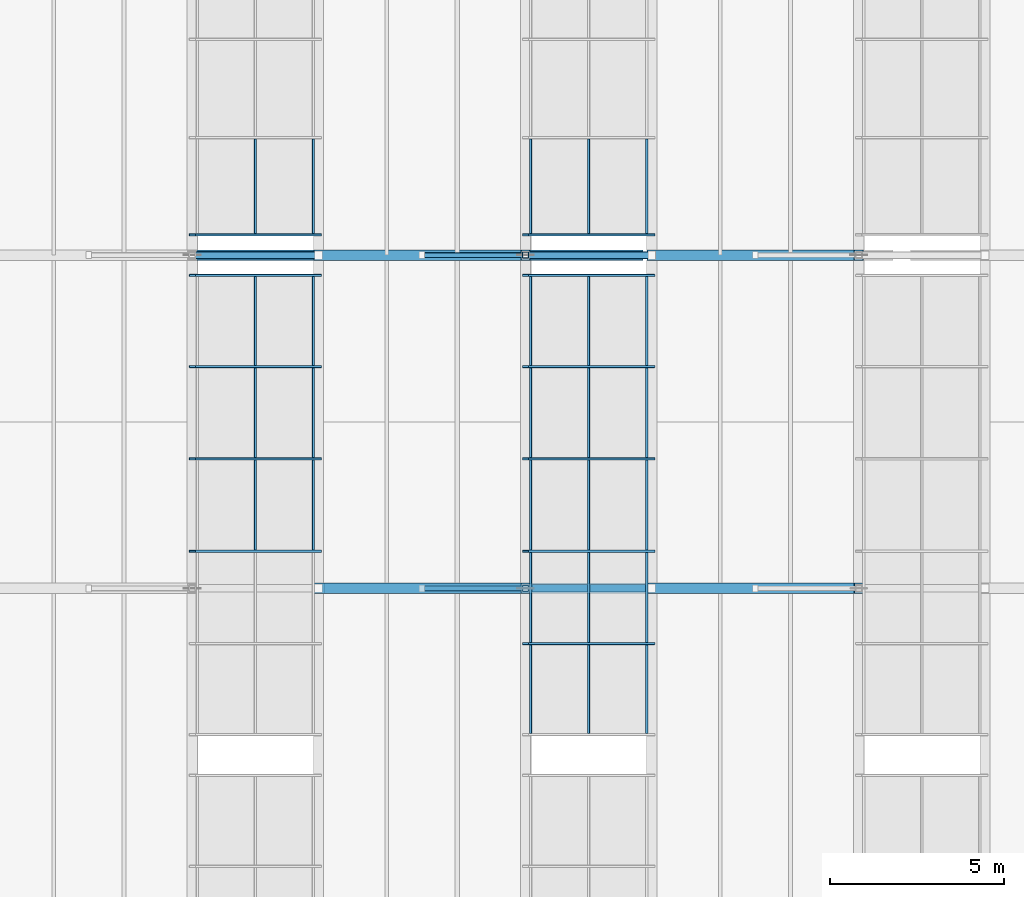
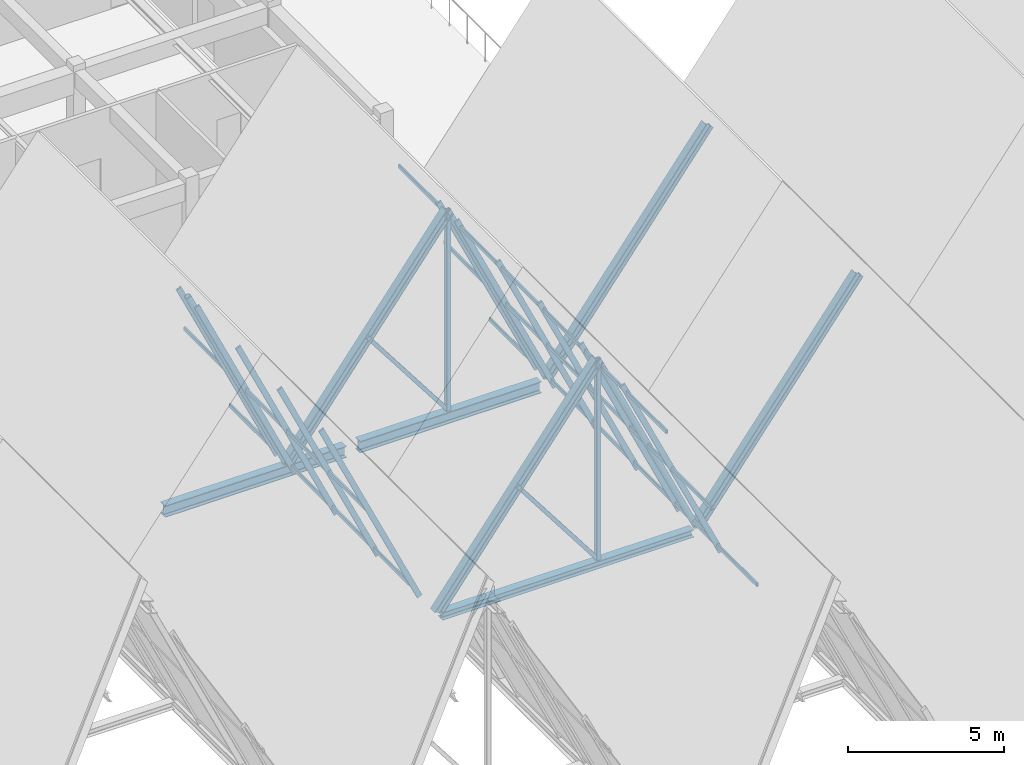
# One storey, part 15 of 99: 49 members, 2 beams, 4 elements without a shape of their own.
"""IFC4 building model written with IfcOpenShell, lengths in metres."""

from ifc_helpers import new_model, si_unit, direction, frame, origin, origin_2d, place, context, subcontext, project, spatial, hollow_rectangle, hollow_circle, i_section, extrude, material, material_profile, profile_set, type_object, element, aggregate, save


model = new_model("IFC4")

# Units and contexts
model_context = context("Model", 3, precision=1e-05, world=origin(), true_north=direction((0.0, 1.0)))
body_context = subcontext(model_context, "Body", "Model", "MODEL_VIEW")
ifc_project = project(units=[si_unit("LENGTHUNIT", "METRE"), si_unit("AREAUNIT", "SQUARE_METRE"), si_unit("VOLUMEUNIT", "CUBIC_METRE"), si_unit("PLANEANGLEUNIT", "RADIAN"), si_unit("MASSUNIT", "GRAM", prefix="KILO")], contexts=[model_context])

# Site, building, storey
site_placement = place(None, origin())
site = spatial("IfcSite", under=ifc_project, at=site_placement, CompositionType="ELEMENT")
building_placement = place(site_placement, origin())
building = spatial("IfcBuilding", under=site, at=building_placement, Name="Bramveld Media Centre", CompositionType="ELEMENT")
storey_placement = place(building_placement, frame((0.0, 0.0, 13.800048828125)))
storey = spatial("IfcBuildingStorey", under=building, at=storey_placement, Name="L03", CompositionType="ELEMENT", Elevation=13.800048828125)

# Curtain wall, members
ifc_material_1 = material(Name="Thermally broken anodized bronze aluminium unitized curtain wall with solar-control triple glazing", Category="aluminium")
curtain_wall_type_1 = type_object("IfcCurtainWallType", Name="CW-SAW-13300x8606", PredefinedType="NOTDEFINED", material=ifc_material_1)
curtain_wall_1_placement = place(storey_placement, origin())
curtain_wall_1 = element("IfcCurtainWall", 1, at=curtain_wall_1_placement, inside=storey, type_object=curtain_wall_type_1, Name="V2 sawtooth north-light clerestory B2-S2", PredefinedType="NOTDEFINED")
ifc_material_2 = material(Name="Thermally broken anodized bronze aluminium EN AW-6063 T6 curtain-wall framing", Category="aluminium")
ifc_material_profile_1 = material_profile(ifc_material_2, hollow_rectangle(XDim=0.070068359375, YDim=0.199951171875, WallThickness=0.00439453125, InnerFilletRadius=0.00439453125, OuterFilletRadius=0.009033203125, at=origin_2d()), Name="AL-MULL 70x200")
ifc_profile_set_1 = profile_set([ifc_material_profile_1], Name="Thermally broken anodized bronze aluminium EN AW-6063 T6 curtain-wall framing")
member_type_1 = type_object("IfcMemberType", Name="CW-MULL-SLP", PredefinedType="MULLION", material=ifc_profile_set_1)
member_1_placement = place(storey_placement, frame((19.199951171875, 20.27001953125, -0.02001953125), z_axis=(-0.423956992265, 0.0, 0.90568232218), x_axis=(0.0, -1.0, 0.0)))
member_1 = element("IfcMember", 2, at=member_1_placement, type_object=member_type_1, Name="CW-SA-13386 sloped mullion 3", PredefinedType="MULLION", context=body_context, shape_type="SweptSolid", body=[
    extrude(hollow_rectangle(XDim=0.070068359375, YDim=0.199951171875, WallThickness=0.00439453125, InnerFilletRadius=0.00439453125, OuterFilletRadius=0.009033203125, at=origin_2d()), origin(), (0.0, 0.0, 1.0), 8.5791015625),
])
member_2_placement = place(storey_placement, frame((19.199951171875, 22.929931640625, -0.02001953125), z_axis=(-0.423956992265, 0.0, 0.90568232218), x_axis=(0.0, -1.0, 0.0)))
member_2 = element("IfcMember", 3, at=member_2_placement, type_object=member_type_1, Name="CW-SA-13386 sloped mullion 4", PredefinedType="MULLION", context=body_context, shape_type="SweptSolid", body=[
    extrude(hollow_rectangle(XDim=0.070068359375, YDim=0.199951171875, WallThickness=0.00439453125, InnerFilletRadius=0.00439453125, OuterFilletRadius=0.009033203125, at=origin_2d()), origin(), (0.0, 0.0, 1.0), 8.5791015625),
])
member_3_placement = place(storey_placement, frame((19.199951171875, 25.590087890625, -0.02001953125), z_axis=(-0.423956992265, 0.0, 0.90568232218), x_axis=(0.0, -1.0, 0.0)))
member_3 = element("IfcMember", 4, at=member_3_placement, type_object=member_type_1, Name="CW-SA-13386 sloped mullion 5", PredefinedType="MULLION", context=body_context, shape_type="SweptSolid", body=[
    extrude(hollow_rectangle(XDim=0.070068359375, YDim=0.199951171875, WallThickness=0.00439453125, InnerFilletRadius=0.00439453125, OuterFilletRadius=0.009033203125, at=origin_2d()), origin(), (0.0, 0.0, 1.0), 8.5791015625),
])
member_4_placement = place(storey_placement, frame((19.199951171875, 28.215087890625, -0.02001953125), z_axis=(-0.423956992265, 0.0, 0.90568232218), x_axis=(0.0, -1.0, 0.0)))
member_4 = element("IfcMember", 5, at=member_4_placement, type_object=member_type_1, Name="CW-SA-13386 sloped mullion 6", PredefinedType="MULLION", context=body_context, shape_type="SweptSolid", body=[
    extrude(hollow_rectangle(XDim=0.070068359375, YDim=0.199951171875, WallThickness=0.00439453125, InnerFilletRadius=0.00439453125, OuterFilletRadius=0.009033203125, at=origin_2d()), origin(), (0.0, 0.0, 1.0), 8.5791015625),
])

# Curtain wall, member
ifc_material_3 = material(Name="Thermally broken anodized bronze aluminium unitized curtain wall with solar-control triple glazing", Category="aluminium")
curtain_wall_type_2 = type_object("IfcCurtainWallType", Name="CW-SAW-8500x8606", PredefinedType="NOTDEFINED", material=ifc_material_3)
curtain_wall_2_placement = place(storey_placement, origin())
curtain_wall_2 = element("IfcCurtainWall", 6, at=curtain_wall_2_placement, inside=storey, type_object=curtain_wall_type_2, Name="V2 sawtooth north-light clerestory B2-S3", PredefinedType="NOTDEFINED")
member_5_placement = place(storey_placement, frame((19.199951171875, 29.385009765625, -0.02001953125), z_axis=(-0.423956992265, 0.0, 0.90568232218), x_axis=(0.0, -1.0, 0.0)))
member_5 = element("IfcMember", 7, at=member_5_placement, type_object=member_type_1, Name="CW-SA-8586 sloped mullion 1", PredefinedType="MULLION", context=body_context, shape_type="SweptSolid", body=[
    extrude(hollow_rectangle(XDim=0.070068359375, YDim=0.199951171875, WallThickness=0.00439453125, InnerFilletRadius=0.00439453125, OuterFilletRadius=0.009033203125, at=origin_2d()), origin(), (0.0, 0.0, 1.0), 8.5791015625),
])

# Curtain wall, members
curtain_wall_3_placement = place(storey_placement, origin())
curtain_wall_3 = element("IfcCurtainWall", 8, at=curtain_wall_3_placement, inside=storey, type_object=curtain_wall_type_1, Name="V2 sawtooth north-light clerestory B3-S2", PredefinedType="NOTDEFINED")
member_6_placement = place(storey_placement, frame((28.800048828125, 17.610107421875, -0.02001953125), z_axis=(-0.423956992265, 0.0, 0.90568232218), x_axis=(0.0, -1.0, 0.0)))
member_6 = element("IfcMember", 9, at=member_6_placement, type_object=member_type_1, Name="CW-SA-13386 sloped mullion 2", PredefinedType="MULLION", context=body_context, shape_type="SweptSolid", body=[
    extrude(hollow_rectangle(XDim=0.070068359375, YDim=0.199951171875, WallThickness=0.00439453125, InnerFilletRadius=0.00439453125, OuterFilletRadius=0.009033203125, at=origin_2d()), origin(), (0.0, 0.0, 1.0), 8.5791015625),
])
member_7_placement = place(storey_placement, frame((28.800048828125, 20.27001953125, -0.02001953125), z_axis=(-0.423956992265, 0.0, 0.90568232218), x_axis=(0.0, -1.0, 0.0)))
member_7 = element("IfcMember", 10, at=member_7_placement, type_object=member_type_1, Name="CW-SA-13386 sloped mullion 3", PredefinedType="MULLION", context=body_context, shape_type="SweptSolid", body=[
    extrude(hollow_rectangle(XDim=0.070068359375, YDim=0.199951171875, WallThickness=0.00439453125, InnerFilletRadius=0.00439453125, OuterFilletRadius=0.009033203125, at=origin_2d()), origin(), (0.0, 0.0, 1.0), 8.5791015625),
])
member_8_placement = place(storey_placement, frame((28.800048828125, 22.929931640625, -0.02001953125), z_axis=(-0.423956992265, 0.0, 0.90568232218), x_axis=(0.0, -1.0, 0.0)))
member_8 = element("IfcMember", 11, at=member_8_placement, type_object=member_type_1, Name="CW-SA-13386 sloped mullion 4", PredefinedType="MULLION", context=body_context, shape_type="SweptSolid", body=[
    extrude(hollow_rectangle(XDim=0.070068359375, YDim=0.199951171875, WallThickness=0.00439453125, InnerFilletRadius=0.00439453125, OuterFilletRadius=0.009033203125, at=origin_2d()), origin(), (0.0, 0.0, 1.0), 8.5791015625),
])
member_9_placement = place(storey_placement, frame((28.800048828125, 25.590087890625, -0.02001953125), z_axis=(-0.423956992265, 0.0, 0.90568232218), x_axis=(0.0, -1.0, 0.0)))
member_9 = element("IfcMember", 12, at=member_9_placement, type_object=member_type_1, Name="CW-SA-13386 sloped mullion 5", PredefinedType="MULLION", context=body_context, shape_type="SweptSolid", body=[
    extrude(hollow_rectangle(XDim=0.070068359375, YDim=0.199951171875, WallThickness=0.00439453125, InnerFilletRadius=0.00439453125, OuterFilletRadius=0.009033203125, at=origin_2d()), origin(), (0.0, 0.0, 1.0), 8.5791015625),
])
member_10_placement = place(storey_placement, frame((28.800048828125, 28.215087890625, -0.02001953125), z_axis=(-0.423956992265, 0.0, 0.90568232218), x_axis=(0.0, -1.0, 0.0)))
member_10 = element("IfcMember", 13, at=member_10_placement, type_object=member_type_1, Name="CW-SA-13386 sloped mullion 6", PredefinedType="MULLION", context=body_context, shape_type="SweptSolid", body=[
    extrude(hollow_rectangle(XDim=0.070068359375, YDim=0.199951171875, WallThickness=0.00439453125, InnerFilletRadius=0.00439453125, OuterFilletRadius=0.009033203125, at=origin_2d()), origin(), (0.0, 0.0, 1.0), 8.5791015625),
])

# Curtain wall, member
curtain_wall_4_placement = place(storey_placement, origin())
curtain_wall_4 = element("IfcCurtainWall", 14, at=curtain_wall_4_placement, inside=storey, type_object=curtain_wall_type_2, Name="V2 sawtooth north-light clerestory B3-S3", PredefinedType="NOTDEFINED")
member_11_placement = place(storey_placement, frame((28.800048828125, 29.385009765625, -0.02001953125), z_axis=(-0.423956992265, 0.0, 0.90568232218), x_axis=(0.0, -1.0, 0.0)))
member_11 = element("IfcMember", 15, at=member_11_placement, type_object=member_type_1, Name="CW-SA-8586 sloped mullion 1", PredefinedType="MULLION", context=body_context, shape_type="SweptSolid", body=[
    extrude(hollow_rectangle(XDim=0.070068359375, YDim=0.199951171875, WallThickness=0.00439453125, InnerFilletRadius=0.00439453125, OuterFilletRadius=0.009033203125, at=origin_2d()), origin(), (0.0, 0.0, 1.0), 8.5791015625),
])

# Member
ifc_material_4 = material(Name="Thermally broken anodized bronze aluminium EN AW-6063 T6 curtain-wall framing", Category="aluminium")
ifc_material_profile_2 = material_profile(ifc_material_4, hollow_rectangle(XDim=0.070068359375, YDim=0.14990234375, WallThickness=0.00390625, InnerFilletRadius=0.00390625, OuterFilletRadius=0.008056640625, at=origin_2d()), Name="AL-TRAN 70x150")
ifc_profile_set_2 = profile_set([ifc_material_profile_2], Name="Thermally broken anodized bronze aluminium EN AW-6063 T6 curtain-wall framing")
member_type_2 = type_object("IfcMemberType", Name="CW-TRAN-SLP", PredefinedType="USERDEFINED", material=ifc_profile_set_2)
member_12_placement = place(storey_placement, frame((19.054443359375, 20.304931640625, 0.290771484375), z_axis=(0.0, 1.0, 0.0), x_axis=(-1.0, 0.0, 0.0)))
member_12 = element("IfcMember", 16, at=member_12_placement, type_object=member_type_2, Name="CW-SA-13386 transom 3.1", ObjectType="TRANSOM", PredefinedType="USERDEFINED", context=body_context, shape_type="SweptSolid", body=[
    extrude(hollow_rectangle(XDim=0.070068359375, YDim=0.14990234375, WallThickness=0.00390625, InnerFilletRadius=0.00390625, OuterFilletRadius=0.008056640625, at=origin_2d()), origin(), (0.0, 0.0, 1.0), 2.590087890625),
])

member_13_placement = place(storey_placement, frame((17.38134765625, 20.304931640625, 3.864990234375), z_axis=(0.0, 1.0, 0.0), x_axis=(-1.0, 0.0, 0.0)))
member_13 = element("IfcMember", 17, at=member_13_placement, type_object=member_type_2, Name="CW-SA-13386 transom 3.2", ObjectType="TRANSOM", PredefinedType="USERDEFINED", context=body_context, shape_type="SweptSolid", body=[
    extrude(hollow_rectangle(XDim=0.070068359375, YDim=0.14990234375, WallThickness=0.00390625, InnerFilletRadius=0.00390625, OuterFilletRadius=0.008056640625, at=origin_2d()), origin(), (0.0, 0.0, 1.0), 2.590087890625),
])

member_14_placement = place(storey_placement, frame((19.054443359375, 22.965087890625, 0.290771484375), z_axis=(0.0, 1.0, 0.0), x_axis=(-1.0, 0.0, 0.0)))
member_14 = element("IfcMember", 18, at=member_14_placement, type_object=member_type_2, Name="CW-SA-13386 transom 4.1", ObjectType="TRANSOM", PredefinedType="USERDEFINED", context=body_context, shape_type="SweptSolid", body=[
    extrude(hollow_rectangle(XDim=0.070068359375, YDim=0.14990234375, WallThickness=0.00390625, InnerFilletRadius=0.00390625, OuterFilletRadius=0.008056640625, at=origin_2d()), origin(), (0.0, 0.0, 1.0), 2.58984375),
])

member_15_placement = place(storey_placement, frame((17.38134765625, 22.965087890625, 3.864990234375), z_axis=(0.0, 1.0, 0.0), x_axis=(-1.0, 0.0, 0.0)))
member_15 = element("IfcMember", 19, at=member_15_placement, type_object=member_type_2, Name="CW-SA-13386 transom 4.2", ObjectType="TRANSOM", PredefinedType="USERDEFINED", context=body_context, shape_type="SweptSolid", body=[
    extrude(hollow_rectangle(XDim=0.070068359375, YDim=0.14990234375, WallThickness=0.00390625, InnerFilletRadius=0.00390625, OuterFilletRadius=0.008056640625, at=origin_2d()), origin(), (0.0, 0.0, 1.0), 2.58984375),
])

member_16_placement = place(storey_placement, frame((19.054443359375, 25.625, 0.290771484375), z_axis=(0.0, 1.0, 0.0), x_axis=(-1.0, 0.0, 0.0)))
member_16 = element("IfcMember", 20, at=member_16_placement, type_object=member_type_2, Name="CW-SA-13386 transom 5.1", ObjectType="TRANSOM", PredefinedType="USERDEFINED", context=body_context, shape_type="SweptSolid", body=[
    extrude(hollow_rectangle(XDim=0.070068359375, YDim=0.14990234375, WallThickness=0.00390625, InnerFilletRadius=0.00390625, OuterFilletRadius=0.008056640625, at=origin_2d()), origin(), (0.0, 0.0, 1.0), 2.554931640625),
])

member_17_placement = place(storey_placement, frame((17.38134765625, 25.625, 3.864990234375), z_axis=(0.0, 1.0, 0.0), x_axis=(-1.0, 0.0, 0.0)))
member_17 = element("IfcMember", 21, at=member_17_placement, type_object=member_type_2, Name="CW-SA-13386 transom 5.2", ObjectType="TRANSOM", PredefinedType="USERDEFINED", context=body_context, shape_type="SweptSolid", body=[
    extrude(hollow_rectangle(XDim=0.070068359375, YDim=0.14990234375, WallThickness=0.00390625, InnerFilletRadius=0.00390625, OuterFilletRadius=0.008056640625, at=origin_2d()), origin(), (0.0, 0.0, 1.0), 2.554931640625),
])

aggregate(curtain_wall_1, [member_1, member_2, member_3, member_4, member_12, member_13, member_14, member_15, member_16, member_17])

member_18_placement = place(storey_placement, frame((19.054443359375, 29.419921875, 0.290771484375), z_axis=(0.0, 1.0, 0.0), x_axis=(-1.0, 0.0, 0.0)))
member_18 = element("IfcMember", 22, at=member_18_placement, type_object=member_type_2, Name="CW-SA-8586 transom 1.1", ObjectType="TRANSOM", PredefinedType="USERDEFINED", context=body_context, shape_type="SweptSolid", body=[
    extrude(hollow_rectangle(XDim=0.070068359375, YDim=0.14990234375, WallThickness=0.00390625, InnerFilletRadius=0.00390625, OuterFilletRadius=0.008056640625, at=origin_2d()), origin(), (0.0, 0.0, 1.0), 2.728271484375),
])

member_19_placement = place(storey_placement, frame((17.38134765625, 29.419921875, 3.864990234375), z_axis=(0.0, 1.0, 0.0), x_axis=(-1.0, 0.0, 0.0)))
member_19 = element("IfcMember", 23, at=member_19_placement, type_object=member_type_2, Name="CW-SA-8586 transom 1.2", ObjectType="TRANSOM", PredefinedType="USERDEFINED", context=body_context, shape_type="SweptSolid", body=[
    extrude(hollow_rectangle(XDim=0.070068359375, YDim=0.14990234375, WallThickness=0.00390625, InnerFilletRadius=0.00390625, OuterFilletRadius=0.008056640625, at=origin_2d()), origin(), (0.0, 0.0, 1.0), 2.728271484375),
])

aggregate(curtain_wall_2, [member_5, member_18, member_19])

member_20_placement = place(storey_placement, frame((28.654541015625, 15.02001953125, 0.290771484375), z_axis=(0.0, 1.0, 0.0), x_axis=(-1.0, 0.0, 0.0)))
member_20 = element("IfcMember", 24, at=member_20_placement, type_object=member_type_2, Name="CW-SA-13386 transom 1.1", ObjectType="TRANSOM", PredefinedType="USERDEFINED", context=body_context, shape_type="SweptSolid", body=[
    extrude(hollow_rectangle(XDim=0.070068359375, YDim=0.14990234375, WallThickness=0.00390625, InnerFilletRadius=0.00390625, OuterFilletRadius=0.008056640625, at=origin_2d()), origin(), (0.0, 0.0, 1.0), 2.554931640625),
])

member_21_placement = place(storey_placement, frame((26.9814453125, 15.02001953125, 3.864990234375), z_axis=(0.0, 1.0, 0.0), x_axis=(-1.0, 0.0, 0.0)))
member_21 = element("IfcMember", 25, at=member_21_placement, type_object=member_type_2, Name="CW-SA-13386 transom 1.2", ObjectType="TRANSOM", PredefinedType="USERDEFINED", context=body_context, shape_type="SweptSolid", body=[
    extrude(hollow_rectangle(XDim=0.070068359375, YDim=0.14990234375, WallThickness=0.00390625, InnerFilletRadius=0.00390625, OuterFilletRadius=0.008056640625, at=origin_2d()), origin(), (0.0, 0.0, 1.0), 2.554931640625),
])

member_22_placement = place(storey_placement, frame((25.308349609375, 15.02001953125, 7.439208984375), z_axis=(0.0, 1.0, 0.0), x_axis=(-1.0, 0.0, 0.0)))
member_22 = element("IfcMember", 26, at=member_22_placement, type_object=member_type_2, Name="CW-SA-13386 transom 1.3", ObjectType="TRANSOM", PredefinedType="USERDEFINED", context=body_context, shape_type="SweptSolid", body=[
    extrude(hollow_rectangle(XDim=0.070068359375, YDim=0.14990234375, WallThickness=0.00390625, InnerFilletRadius=0.00390625, OuterFilletRadius=0.008056640625, at=origin_2d()), origin(), (0.0, 0.0, 1.0), 2.554931640625),
])

member_23_placement = place(storey_placement, frame((28.654541015625, 17.64501953125, 0.290771484375), z_axis=(0.0, 1.0, 0.0), x_axis=(-1.0, 0.0, 0.0)))
member_23 = element("IfcMember", 27, at=member_23_placement, type_object=member_type_2, Name="CW-SA-13386 transom 2.1", ObjectType="TRANSOM", PredefinedType="USERDEFINED", context=body_context, shape_type="SweptSolid", body=[
    extrude(hollow_rectangle(XDim=0.070068359375, YDim=0.14990234375, WallThickness=0.00390625, InnerFilletRadius=0.00390625, OuterFilletRadius=0.008056640625, at=origin_2d()), origin(), (0.0, 0.0, 1.0), 2.590087890625),
])

member_24_placement = place(storey_placement, frame((26.9814453125, 17.64501953125, 3.864990234375), z_axis=(0.0, 1.0, 0.0), x_axis=(-1.0, 0.0, 0.0)))
member_24 = element("IfcMember", 28, at=member_24_placement, type_object=member_type_2, Name="CW-SA-13386 transom 2.2", ObjectType="TRANSOM", PredefinedType="USERDEFINED", context=body_context, shape_type="SweptSolid", body=[
    extrude(hollow_rectangle(XDim=0.070068359375, YDim=0.14990234375, WallThickness=0.00390625, InnerFilletRadius=0.00390625, OuterFilletRadius=0.008056640625, at=origin_2d()), origin(), (0.0, 0.0, 1.0), 2.590087890625),
])

member_25_placement = place(storey_placement, frame((25.308349609375, 17.64501953125, 7.439208984375), z_axis=(0.0, 1.0, 0.0), x_axis=(-1.0, 0.0, 0.0)))
member_25 = element("IfcMember", 29, at=member_25_placement, type_object=member_type_2, Name="CW-SA-13386 transom 2.3", ObjectType="TRANSOM", PredefinedType="USERDEFINED", context=body_context, shape_type="SweptSolid", body=[
    extrude(hollow_rectangle(XDim=0.070068359375, YDim=0.14990234375, WallThickness=0.00390625, InnerFilletRadius=0.00390625, OuterFilletRadius=0.008056640625, at=origin_2d()), origin(), (0.0, 0.0, 1.0), 2.590087890625),
])

member_26_placement = place(storey_placement, frame((28.654541015625, 20.304931640625, 0.290771484375), z_axis=(0.0, 1.0, 0.0), x_axis=(-1.0, 0.0, 0.0)))
member_26 = element("IfcMember", 30, at=member_26_placement, type_object=member_type_2, Name="CW-SA-13386 transom 3.1", ObjectType="TRANSOM", PredefinedType="USERDEFINED", context=body_context, shape_type="SweptSolid", body=[
    extrude(hollow_rectangle(XDim=0.070068359375, YDim=0.14990234375, WallThickness=0.00390625, InnerFilletRadius=0.00390625, OuterFilletRadius=0.008056640625, at=origin_2d()), origin(), (0.0, 0.0, 1.0), 2.590087890625),
])

member_27_placement = place(storey_placement, frame((26.9814453125, 20.304931640625, 3.864990234375), z_axis=(0.0, 1.0, 0.0), x_axis=(-1.0, 0.0, 0.0)))
member_27 = element("IfcMember", 31, at=member_27_placement, type_object=member_type_2, Name="CW-SA-13386 transom 3.2", ObjectType="TRANSOM", PredefinedType="USERDEFINED", context=body_context, shape_type="SweptSolid", body=[
    extrude(hollow_rectangle(XDim=0.070068359375, YDim=0.14990234375, WallThickness=0.00390625, InnerFilletRadius=0.00390625, OuterFilletRadius=0.008056640625, at=origin_2d()), origin(), (0.0, 0.0, 1.0), 2.590087890625),
])

member_28_placement = place(storey_placement, frame((25.308349609375, 20.304931640625, 7.439208984375), z_axis=(0.0, 1.0, 0.0), x_axis=(-1.0, 0.0, 0.0)))
member_28 = element("IfcMember", 32, at=member_28_placement, type_object=member_type_2, Name="CW-SA-13386 transom 3.3", ObjectType="TRANSOM", PredefinedType="USERDEFINED", context=body_context, shape_type="SweptSolid", body=[
    extrude(hollow_rectangle(XDim=0.070068359375, YDim=0.14990234375, WallThickness=0.00390625, InnerFilletRadius=0.00390625, OuterFilletRadius=0.008056640625, at=origin_2d()), origin(), (0.0, 0.0, 1.0), 2.590087890625),
])

member_29_placement = place(storey_placement, frame((28.654541015625, 22.965087890625, 0.290771484375), z_axis=(0.0, 1.0, 0.0), x_axis=(-1.0, 0.0, 0.0)))
member_29 = element("IfcMember", 33, at=member_29_placement, type_object=member_type_2, Name="CW-SA-13386 transom 4.1", ObjectType="TRANSOM", PredefinedType="USERDEFINED", context=body_context, shape_type="SweptSolid", body=[
    extrude(hollow_rectangle(XDim=0.070068359375, YDim=0.14990234375, WallThickness=0.00390625, InnerFilletRadius=0.00390625, OuterFilletRadius=0.008056640625, at=origin_2d()), origin(), (0.0, 0.0, 1.0), 2.58984375),
])

member_30_placement = place(storey_placement, frame((26.9814453125, 22.965087890625, 3.864990234375), z_axis=(0.0, 1.0, 0.0), x_axis=(-1.0, 0.0, 0.0)))
member_30 = element("IfcMember", 34, at=member_30_placement, type_object=member_type_2, Name="CW-SA-13386 transom 4.2", ObjectType="TRANSOM", PredefinedType="USERDEFINED", context=body_context, shape_type="SweptSolid", body=[
    extrude(hollow_rectangle(XDim=0.070068359375, YDim=0.14990234375, WallThickness=0.00390625, InnerFilletRadius=0.00390625, OuterFilletRadius=0.008056640625, at=origin_2d()), origin(), (0.0, 0.0, 1.0), 2.58984375),
])

member_31_placement = place(storey_placement, frame((25.308349609375, 22.965087890625, 7.439208984375), z_axis=(0.0, 1.0, 0.0), x_axis=(-1.0, 0.0, 0.0)))
member_31 = element("IfcMember", 35, at=member_31_placement, type_object=member_type_2, Name="CW-SA-13386 transom 4.3", ObjectType="TRANSOM", PredefinedType="USERDEFINED", context=body_context, shape_type="SweptSolid", body=[
    extrude(hollow_rectangle(XDim=0.070068359375, YDim=0.14990234375, WallThickness=0.00390625, InnerFilletRadius=0.00390625, OuterFilletRadius=0.008056640625, at=origin_2d()), origin(), (0.0, 0.0, 1.0), 2.58984375),
])

member_32_placement = place(storey_placement, frame((28.654541015625, 25.625, 0.290771484375), z_axis=(0.0, 1.0, 0.0), x_axis=(-1.0, 0.0, 0.0)))
member_32 = element("IfcMember", 36, at=member_32_placement, type_object=member_type_2, Name="CW-SA-13386 transom 5.1", ObjectType="TRANSOM", PredefinedType="USERDEFINED", context=body_context, shape_type="SweptSolid", body=[
    extrude(hollow_rectangle(XDim=0.070068359375, YDim=0.14990234375, WallThickness=0.00390625, InnerFilletRadius=0.00390625, OuterFilletRadius=0.008056640625, at=origin_2d()), origin(), (0.0, 0.0, 1.0), 2.554931640625),
])

member_33_placement = place(storey_placement, frame((26.9814453125, 25.625, 3.864990234375), z_axis=(0.0, 1.0, 0.0), x_axis=(-1.0, 0.0, 0.0)))
member_33 = element("IfcMember", 37, at=member_33_placement, type_object=member_type_2, Name="CW-SA-13386 transom 5.2", ObjectType="TRANSOM", PredefinedType="USERDEFINED", context=body_context, shape_type="SweptSolid", body=[
    extrude(hollow_rectangle(XDim=0.070068359375, YDim=0.14990234375, WallThickness=0.00390625, InnerFilletRadius=0.00390625, OuterFilletRadius=0.008056640625, at=origin_2d()), origin(), (0.0, 0.0, 1.0), 2.554931640625),
])

member_34_placement = place(storey_placement, frame((25.308349609375, 25.625, 7.439208984375), z_axis=(0.0, 1.0, 0.0), x_axis=(-1.0, 0.0, 0.0)))
member_34 = element("IfcMember", 38, at=member_34_placement, type_object=member_type_2, Name="CW-SA-13386 transom 5.3", ObjectType="TRANSOM", PredefinedType="USERDEFINED", context=body_context, shape_type="SweptSolid", body=[
    extrude(hollow_rectangle(XDim=0.070068359375, YDim=0.14990234375, WallThickness=0.00390625, InnerFilletRadius=0.00390625, OuterFilletRadius=0.008056640625, at=origin_2d()), origin(), (0.0, 0.0, 1.0), 2.554931640625),
])

aggregate(curtain_wall_3, [member_6, member_7, member_8, member_9, member_10, member_20, member_21, member_22, member_23, member_24, member_25, member_26, member_27, member_28, member_29, member_30, member_31, member_32, member_33, member_34])

member_35_placement = place(storey_placement, frame((28.654541015625, 29.419921875, 0.290771484375), z_axis=(0.0, 1.0, 0.0), x_axis=(-1.0, 0.0, 0.0)))
member_35 = element("IfcMember", 39, at=member_35_placement, type_object=member_type_2, Name="CW-SA-8586 transom 1.1", ObjectType="TRANSOM", PredefinedType="USERDEFINED", context=body_context, shape_type="SweptSolid", body=[
    extrude(hollow_rectangle(XDim=0.070068359375, YDim=0.14990234375, WallThickness=0.00390625, InnerFilletRadius=0.00390625, OuterFilletRadius=0.008056640625, at=origin_2d()), origin(), (0.0, 0.0, 1.0), 2.728271484375),
])

member_36_placement = place(storey_placement, frame((26.9814453125, 29.419921875, 3.864990234375), z_axis=(0.0, 1.0, 0.0), x_axis=(-1.0, 0.0, 0.0)))
member_36 = element("IfcMember", 40, at=member_36_placement, type_object=member_type_2, Name="CW-SA-8586 transom 1.2", ObjectType="TRANSOM", PredefinedType="USERDEFINED", context=body_context, shape_type="SweptSolid", body=[
    extrude(hollow_rectangle(XDim=0.070068359375, YDim=0.14990234375, WallThickness=0.00390625, InnerFilletRadius=0.00390625, OuterFilletRadius=0.008056640625, at=origin_2d()), origin(), (0.0, 0.0, 1.0), 2.728271484375),
])

member_37_placement = place(storey_placement, frame((25.308349609375, 29.419921875, 7.439208984375), z_axis=(0.0, 1.0, 0.0), x_axis=(-1.0, 0.0, 0.0)))
member_37 = element("IfcMember", 41, at=member_37_placement, type_object=member_type_2, Name="CW-SA-8586 transom 1.3", ObjectType="TRANSOM", PredefinedType="USERDEFINED", context=body_context, shape_type="SweptSolid", body=[
    extrude(hollow_rectangle(XDim=0.070068359375, YDim=0.14990234375, WallThickness=0.00390625, InnerFilletRadius=0.00390625, OuterFilletRadius=0.008056640625, at=origin_2d()), origin(), (0.0, 0.0, 1.0), 2.728271484375),
])

aggregate(curtain_wall_4, [member_11, member_35, member_36, member_37])

# Members
ifc_material_5 = material(Name="Steel S355J2H", Category="steel")
ifc_material_profile_3 = material_profile(ifc_material_5, hollow_circle(Radius=0.109619140625, WallThickness=0.012451171875, at=origin_2d()), Name="CHS 219.1x12.5")
ifc_profile_set_3 = profile_set([ifc_material_profile_3], Name="Steel S355J2H")
member_type_3 = type_object("IfcMemberType", Name="MEM-BRACE-CHS219", PredefinedType="BRACE", material=ifc_profile_set_3)
for number, where, z_axis, x_axis, name in (
    (42, (19.199951171875, 28.800048828125, 0.0), (-0.422616785161, 0.0, 0.906308475575), (0.0, -1.0, 0.0), "TRUSS-V2-B02-F4 north-light strut"),
    (43, (28.800048828125, 19.199951171875, 0.0), (-0.422616785161, 0.0, 0.906308475575), (0.0, -1.0, 0.0), "TRUSS-V2-B03-F3 north-light strut"),
    (44, (28.800048828125, 28.800048828125, 0.0), (-0.422616785161, 0.0, 0.906308475575), (0.0, -1.0, 0.0), "TRUSS-V2-B03-F4 north-light strut"),
):
    element("IfcMember", number, at=place(storey_placement, frame(where, z_axis=z_axis, x_axis=x_axis)), inside=storey, type_object=member_type_3, Name=name, PredefinedType="BRACE", context=body_context, shape_type="SweptSolid", body=[
        extrude(hollow_circle(Radius=0.109619140625, WallThickness=0.012451171875, at=origin_2d()), origin(), (0.0, 0.0, 1.0), 8.6064453125),
    ])
ifc_material_6 = material(Name="Steel S355J2H", Category="steel")
ifc_material_profile_4 = material_profile(ifc_material_6, hollow_rectangle(XDim=0.14990234375, YDim=0.14990234375, WallThickness=0.010009765625, InnerFilletRadius=0.010009765625, OuterFilletRadius=0.02001953125, at=origin_2d()), Name="SHS 150x150x10")
ifc_profile_set_4 = profile_set([ifc_material_profile_4], Name="Steel S355J2H")
member_type_4 = type_object("IfcMemberType", Name="MEM-BRACE-SHS150", PredefinedType="BRACE", material=ifc_profile_set_4)
for number, where, z_axis, x_axis, name in (
    (45, (25.162841796875, 19.199951171875, 0.0), (-0.607343034298, 0.0, 0.794439701104), (0.0, -1.0, 0.0), "TRUSS-V2-B03-F3 web diagonal"),
    (46, (25.162841796875, 28.800048828125, 0.0), (-0.607343034298, 0.0, 0.794439701104), (0.0, -1.0, 0.0), "TRUSS-V2-B03-F4 web diagonal"),
):
    element("IfcMember", number, at=place(storey_placement, frame(where, z_axis=z_axis, x_axis=x_axis)), inside=storey, type_object=member_type_4, Name=name, PredefinedType="BRACE", context=body_context, shape_type="SweptSolid", body=[
        extrude(hollow_rectangle(XDim=0.14990234375, YDim=0.14990234375, WallThickness=0.010009765625, InnerFilletRadius=0.010009765625, OuterFilletRadius=0.02001953125, at=origin_2d()), origin(), (0.0, 0.0, 1.0), 4.908935546875),
    ])
ifc_material_7 = material(Name="Steel S355J2", Category="steel")
ifc_material_profile_5 = material_profile(ifc_material_7, i_section(OverallWidth=0.300048828125, OverallDepth=0.2900390625, WebThickness=0.008544921875, FlangeThickness=0.013916015625, FilletRadius=0.027099609375, at=origin_2d()), Name="HEA 300")
ifc_profile_set_5 = profile_set([ifc_material_profile_5], Name="Steel S355J2")
member_type_5 = type_object("IfcMemberType", Name="MEM-CHORD-HEA300", PredefinedType="CHORD", material=ifc_profile_set_5)
member_38_placement = place(storey_placement, frame((19.360107421875, 19.199951171875, -0.14501953125), z_axis=(1.0, 0.0, 0.0), x_axis=(0.0, 1.0, 0.0)))
element("IfcMember", 47, at=member_38_placement, inside=storey, type_object=member_type_5, Name="TRUSS-V2-B03-F3 bottom tie chord", PredefinedType="CHORD", context=body_context, shape_type="SweptSolid", body=[
    extrude(i_section(OverallWidth=0.300048828125, OverallDepth=0.2900390625, WebThickness=0.008544921875, FlangeThickness=0.013916015625, FilletRadius=0.027099609375, at=origin_2d()), origin(), (0.0, 0.0, 1.0), 9.27978515625),
])
ifc_material_8 = material(Name="Steel S355J2", Category="steel")
ifc_material_profile_6 = material_profile(ifc_material_8, i_section(OverallWidth=0.300048828125, OverallDepth=0.340087890625, WebThickness=0.011962890625, FlangeThickness=0.021484375, FilletRadius=0.027099609375, at=origin_2d()), Name="HEB 340")
ifc_profile_set_6 = profile_set([ifc_material_profile_6], Name="Steel S355J2")
member_type_6 = type_object("IfcMemberType", Name="MEM-CHORD-HEB340", PredefinedType="CHORD", material=ifc_profile_set_6)
for number, where, z_axis, x_axis, name in (
    (48, (19.199951171875, 19.199951171875, 0.0), (0.607331036372, 0.0, 0.794448873282), (0.0, 1.0, 0.0), "TRUSS-V2-B03-F3 top rafter chord"),
    (49, (19.199951171875, 28.800048828125, 0.0), (0.607331036372, 0.0, 0.794448873282), (0.0, 1.0, 0.0), "TRUSS-V2-B03-F4 top rafter chord"),
    (50, (28.800048828125, 19.199951171875, 0.0), (0.607315341765, 0.0, 0.794460871067), (0.0, 1.0, 0.0), "TRUSS-V2-B04-F3 top rafter chord"),
    (51, (28.800048828125, 28.800048828125, 0.0), (0.607315341765, 0.0, 0.794460871067), (0.0, 1.0, 0.0), "TRUSS-V2-B04-F4 top rafter chord"),
):
    element("IfcMember", number, at=place(storey_placement, frame(where, z_axis=z_axis, x_axis=x_axis)), inside=storey, type_object=member_type_6, Name=name, PredefinedType="CHORD", context=body_context, shape_type="SweptSolid", body=[
        extrude(i_section(OverallWidth=0.300048828125, OverallDepth=0.340087890625, WebThickness=0.011962890625, FlangeThickness=0.021484375, FilletRadius=0.027099609375, at=origin_2d()), origin(), (0.0, 0.0, 1.0), 9.818115234375),
    ])
ifc_material_9 = material(Name="Steel S355J2H", Category="steel")
ifc_material_profile_7 = material_profile(ifc_material_9, hollow_rectangle(XDim=0.179931640625, YDim=0.179931640625, WallThickness=0.010009765625, InnerFilletRadius=0.010009765625, OuterFilletRadius=0.02001953125, at=origin_2d()), Name="SHS 180x180x10")
ifc_profile_set_7 = profile_set([ifc_material_profile_7], Name="Steel S355J2H")
member_type_7 = type_object("IfcMemberType", Name="MEM-POST-SHS180", PredefinedType="POST", material=ifc_profile_set_7)
for number, where, z_axis, x_axis, name in (
    (52, (25.162841796875, 19.199951171875, 0.0), (0.0, 0.0, 1.0), (1.0, 0.0, 0.0), "TRUSS-V2-B03-F3 kingpost"),
    (53, (25.162841796875, 28.800048828125, 0.0), (0.0, 0.0, 1.0), (1.0, 0.0, 0.0), "TRUSS-V2-B03-F4 kingpost"),
):
    element("IfcMember", number, at=place(storey_placement, frame(where, z_axis=z_axis, x_axis=x_axis)), inside=storey, type_object=member_type_7, Name=name, PredefinedType="POST", context=body_context, shape_type="SweptSolid", body=[
        extrude(hollow_rectangle(XDim=0.179931640625, YDim=0.179931640625, WallThickness=0.010009765625, InnerFilletRadius=0.010009765625, OuterFilletRadius=0.02001953125, at=origin_2d()), origin(), (0.0, 0.0, 1.0), 7.800048828125),
    ])

# Beams
ifc_material_10 = material(Name="Steel S355J2", Category="steel")
ifc_material_profile_8 = material_profile(ifc_material_10, i_section(OverallWidth=0.300048828125, OverallDepth=0.449951171875, WebThickness=0.013916015625, FlangeThickness=0.02587890625, FilletRadius=0.027099609375, at=origin_2d()), Name="HEB 450")
ifc_profile_set_8 = profile_set([ifc_material_profile_8], Name="Steel S355J2")
beam_type = type_object("IfcBeamType", Name="SBM-INT-HEB-450", PredefinedType="BEAM", material=ifc_profile_set_8)
beam_1_placement = place(storey_placement, frame((14.64990234375, 28.800048828125, -0.22509765625), z_axis=(1.0, 0.0, 0.0), x_axis=(0.0, 1.0, 0.0)))
element("IfcBeam", 54, at=beam_1_placement, inside=storey, type_object=beam_type, Name="V2 sawtooth tie girder", PredefinedType="BEAM", context=body_context, shape_type="SweptSolid", body=[
    extrude(i_section(OverallWidth=0.300048828125, OverallDepth=0.449951171875, WebThickness=0.013916015625, FlangeThickness=0.02587890625, FilletRadius=0.027099609375, at=origin_2d()), origin(), (0.0, 0.0, 1.0), 6.7001953125),
])
beam_2_placement = place(storey_placement, frame((21.85009765625, 28.800048828125, -0.22509765625), z_axis=(1.0, 0.0, 0.0), x_axis=(0.0, 1.0, 0.0)))
element("IfcBeam", 55, at=beam_2_placement, inside=storey, type_object=beam_type, Name="V2 sawtooth tie girder", PredefinedType="BEAM", context=body_context, shape_type="SweptSolid", body=[
    extrude(i_section(OverallWidth=0.300048828125, OverallDepth=0.449951171875, WebThickness=0.013916015625, FlangeThickness=0.02587890625, FilletRadius=0.027099609375, at=origin_2d()), origin(), (0.0, 0.0, 1.0), 6.699951171875),
])

save(model, "model.ifc")
